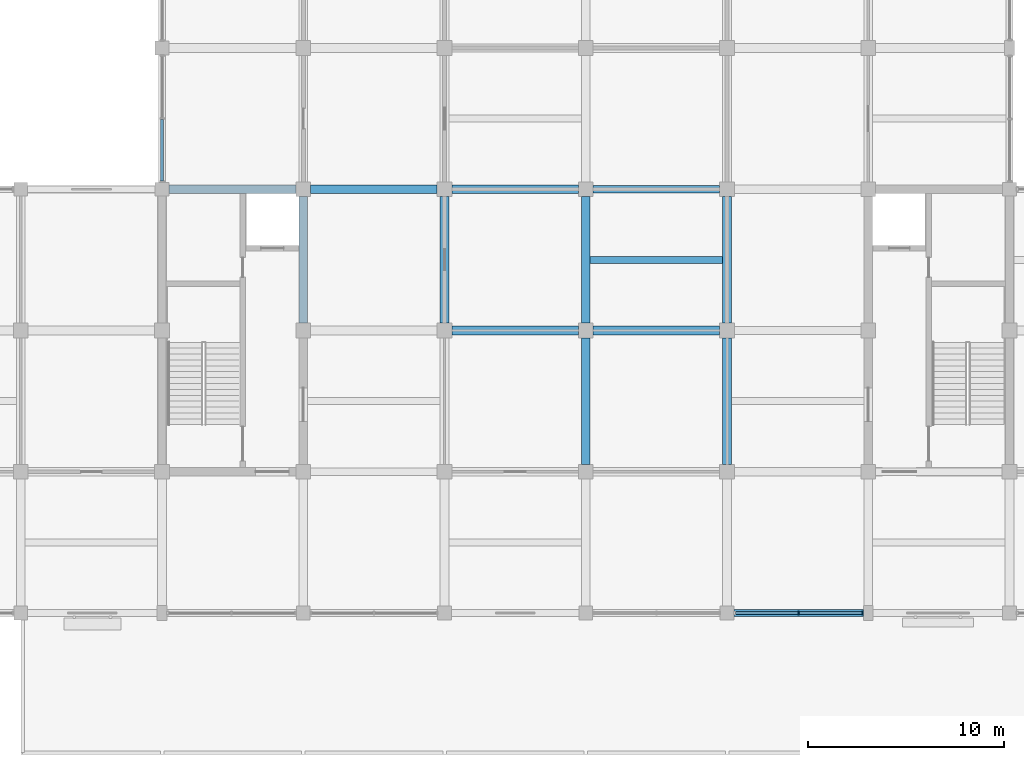
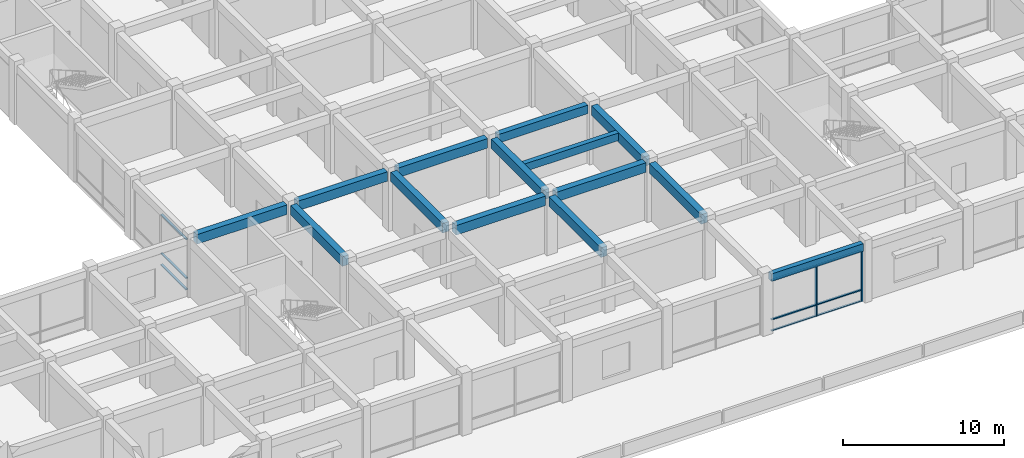
# One storey, part 6 of 30: 14 beams, 11 members, 2 elements without a shape of their own.
"""IFC4 building model written with IfcOpenShell, lengths in metres."""

from ifc_helpers import new_model, si_unit, direction, frame, origin, origin_2d, place, context, subcontext, project, spatial, rectangle, extrude, material, layer, layer_set, material_profile, profile_set, type_object, element, aggregate, save


model = new_model("IFC4")

# Units and contexts
model_context = context("Model", 3, precision=1e-05, world=origin(), true_north=direction((0.0, 1.0)))
body_context = subcontext(model_context, "Body", "Model", "MODEL_VIEW")
ifc_project = project(units=[si_unit("LENGTHUNIT", "METRE"), si_unit("AREAUNIT", "SQUARE_METRE"), si_unit("VOLUMEUNIT", "CUBIC_METRE"), si_unit("PLANEANGLEUNIT", "RADIAN"), si_unit("MASSUNIT", "GRAM", prefix="KILO")], contexts=[model_context])

# Site, building, storey
site_placement = place(None, origin())
site = spatial("IfcSite", under=ifc_project, at=site_placement, CompositionType="ELEMENT")
building_placement = place(site_placement, origin())
building = spatial("IfcBuilding", under=site, at=building_placement, Name="Cendaluz Park School", CompositionType="ELEMENT")
storey_placement = place(building_placement, frame((0.0, 0.0, 9.60009765625)))
storey = spatial("IfcBuildingStorey", under=building, at=storey_placement, Name="L02", CompositionType="ELEMENT", Elevation=9.60009765625)

# Beams
ifc_material_1 = material(Name="Concrete C40/50", Category="concrete")
ifc_material_profile_1 = material_profile(ifc_material_1, rectangle(XDim=0.449951171875, YDim=0.719970703125, at=origin_2d()), Name="RC 450x720", Category="concrete")
ifc_profile_set_1 = profile_set([ifc_material_profile_1], Name="Concrete C40/50")
beam_type_1 = type_object("IfcBeamType", Name="BM-RC02", PredefinedType="BEAM", material=ifc_profile_set_1)
beam_1_placement = place(storey_placement, frame((65.14990234375, 28.800048828125, 4.099853515625), z_axis=(1.0, 0.0, 0.0), x_axis=(0.0, 1.0, 0.0)))
element("IfcBeam", 1, at=beam_1_placement, inside=storey, type_object=beam_type_1, Name="BM-L02-BMRC02-0038", PredefinedType="BEAM", context=body_context, shape_type="SweptSolid", body=[
    extrude(rectangle(XDim=0.449951171875, YDim=0.719970703125, at=origin_2d()), origin(), (0.0, 0.0, 1.0), 6.47509765625),
])
for number, where, z_axis, x_axis, name in (
    (2, (72.375, 28.800048828125, 4.099853515625), (1.0, 0.0, 0.0), (0.0, 1.0, 0.0), "BM-L02-BMRC02-0047"),
    (3, (79.574951171875, 21.60009765625, 4.099853515625), (1.0, 0.0, 0.0), (0.0, 1.0, 0.0), "BM-L02-BMRC02-0056"),
    (4, (79.574951171875, 28.800048828125, 4.099853515625), (1.0, 0.0, 0.0), (0.0, 1.0, 0.0), "BM-L02-BMRC02-0057"),
):
    element("IfcBeam", number, at=place(storey_placement, frame(where, z_axis=z_axis, x_axis=x_axis)), inside=storey, type_object=beam_type_1, Name=name, PredefinedType="BEAM", context=body_context, shape_type="SweptSolid", body=[
        extrude(rectangle(XDim=0.449951171875, YDim=0.719970703125, at=origin_2d()), origin(), (0.0, 0.0, 1.0), 6.449951171875),
    ])
beam_2_placement = place(storey_placement, frame((86.77490234375, 21.60009765625, 4.099853515625), z_axis=(1.0, 0.0, 0.0), x_axis=(0.0, 1.0, 0.0)))
element("IfcBeam", 5, at=beam_2_placement, inside=storey, type_object=beam_type_1, Name="BM-L02-BMRC02-0066", PredefinedType="BEAM", context=body_context, shape_type="SweptSolid", body=[
    extrude(rectangle(XDim=0.449951171875, YDim=0.719970703125, at=origin_2d()), origin(), (0.0, 0.0, 1.0), 6.4501953125),
])
for number, where, z_axis, x_axis, name in (
    (6, (72.0, 21.97509765625, 4.099853515625), (0.0, 1.0, 0.0), (-1.0, 0.0, 0.0), "BM-L02-BMRC02-0165"),
    (7, (79.199951171875, 21.97509765625, 4.099853515625), (0.0, 1.0, 0.0), (-1.0, 0.0, 0.0), "BM-L02-BMRC02-0174"),
):
    element("IfcBeam", number, at=place(storey_placement, frame(where, z_axis=z_axis, x_axis=x_axis)), inside=storey, type_object=beam_type_1, Name=name, PredefinedType="BEAM", context=body_context, shape_type="SweptSolid", body=[
        extrude(rectangle(XDim=0.449951171875, YDim=0.719970703125, at=origin_2d()), origin(), (0.0, 0.0, 1.0), 6.449951171875),
    ])
beam_3_placement = place(storey_placement, frame((86.39990234375, 14.77490234375, 4.099853515625), z_axis=(0.0, 1.0, 0.0), x_axis=(-1.0, 0.0, 0.0)))
element("IfcBeam", 8, at=beam_3_placement, inside=storey, type_object=beam_type_1, Name="BM-L02-BMRC02-0182", PredefinedType="BEAM", context=body_context, shape_type="SweptSolid", body=[
    extrude(rectangle(XDim=0.449951171875, YDim=0.719970703125, at=origin_2d()), origin(), (0.0, 0.0, 1.0), 6.4501953125),
])
beam_4_placement = place(storey_placement, frame((86.39990234375, 21.97509765625, 4.099853515625), z_axis=(0.0, 1.0, 0.0), x_axis=(-1.0, 0.0, 0.0)))
element("IfcBeam", 9, at=beam_4_placement, inside=storey, type_object=beam_type_1, Name="BM-L02-BMRC02-0183", PredefinedType="BEAM", context=body_context, shape_type="SweptSolid", body=[
    extrude(rectangle(XDim=0.449951171875, YDim=0.719970703125, at=origin_2d()), origin(), (0.0, 0.0, 1.0), 6.449951171875),
])
beam_5_placement = place(storey_placement, frame((93.60009765625, 14.77490234375, 4.099853515625), z_axis=(0.0, 1.0, 0.0), x_axis=(-1.0, 0.0, 0.0)))
element("IfcBeam", 10, at=beam_5_placement, inside=storey, type_object=beam_type_1, Name="BM-L02-BMRC02-0191", PredefinedType="BEAM", context=body_context, shape_type="SweptSolid", body=[
    extrude(rectangle(XDim=0.449951171875, YDim=0.719970703125, at=origin_2d()), origin(), (0.0, 0.0, 1.0), 6.4501953125),
])
beam_6_placement = place(storey_placement, frame((93.60009765625, 21.97509765625, 4.099853515625), z_axis=(0.0, 1.0, 0.0), x_axis=(-1.0, 0.0, 0.0)))
element("IfcBeam", 11, at=beam_6_placement, inside=storey, type_object=beam_type_1, Name="BM-L02-BMRC02-0192", PredefinedType="BEAM", context=body_context, shape_type="SweptSolid", body=[
    extrude(rectangle(XDim=0.449951171875, YDim=0.719970703125, at=origin_2d()), origin(), (0.0, 0.0, 1.0), 6.449951171875),
])
ifc_material_profile_2 = material_profile(ifc_material_1, rectangle(XDim=0.39990234375, YDim=0.64990234375, at=origin_2d()), Name="RC 400x650", Category="concrete")
ifc_profile_set_2 = profile_set([ifc_material_profile_2], Name="Concrete C40/50")
beam_type_2 = type_object("IfcBeamType", Name="BM-RC03", PredefinedType="T_BEAM", material=ifc_profile_set_2)
beam_7_placement = place(storey_placement, frame((86.77490234375, 28.800048828125, 4.135009765625), z_axis=(1.0, 0.0, 0.0), x_axis=(0.0, 1.0, 0.0)))
element("IfcBeam", 12, at=beam_7_placement, inside=storey, type_object=beam_type_2, Name="BM-L02-BMRC03-0067", PredefinedType="T_BEAM", context=body_context, shape_type="SweptSolid", body=[
    extrude(rectangle(XDim=0.39990234375, YDim=0.64990234375, at=origin_2d()), origin(), (0.0, 0.0, 1.0), 6.4501953125),
])
ifc_material_profile_3 = material_profile(ifc_material_1, rectangle(XDim=0.35009765625, YDim=0.580078125, at=origin_2d()), Name="RC 350x580", Category="concrete")
ifc_profile_set_3 = profile_set([ifc_material_profile_3], Name="Concrete C40/50")
beam_type_3 = type_object("IfcBeamType", Name="BM-RC04", PredefinedType="LINTEL", material=ifc_profile_set_3)
beam_8_placement = place(storey_placement, frame((93.949951171875, 7.199951171875, 4.169921875), z_axis=(1.0, 0.0, 0.0), x_axis=(0.0, 1.0, 0.0)))
element("IfcBeam", 13, at=beam_8_placement, inside=storey, type_object=beam_type_3, Name="BM-L02-BMRC04-0074", PredefinedType="LINTEL", context=body_context, shape_type="SweptSolid", body=[
    extrude(rectangle(XDim=0.35009765625, YDim=0.580078125, at=origin_2d()), origin(), (0.0, 0.0, 1.0), 6.60009765625),
])

# Curtain wall, members
ifc_material_2 = material(Name="Anodised Aluminium 6063-T6", Category="aluminium")
ifc_layer_1 = layer(ifc_material_2, 0.179931640625)
ifc_layer_set_1 = layer_set([ifc_layer_1], Name="Anodised Aluminium 6063-T6")
curtain_wall_type_1 = type_object("IfcCurtainWallType", Name="CW-132x78", PredefinedType="NOTDEFINED", material=ifc_layer_set_1)
curtain_wall_1_placement = place(storey_placement, origin())
curtain_wall_1 = element("IfcCurtainWall", 14, at=curtain_wall_1_placement, inside=storey, type_object=curtain_wall_type_1, Name="CW-L02-113", PredefinedType="NOTDEFINED")
ifc_material_profile_4 = material_profile(ifc_material_2, rectangle(XDim=0.199951171875, YDim=0.080078125, at=origin_2d()), Name="CWM 200x80", Category="aluminium")
ifc_profile_set_4 = profile_set([ifc_material_profile_4], Name="Anodised Aluminium 6063-T6")
member_type_1 = type_object("IfcMemberType", Name="CWM-02", PredefinedType="MULLION", material=ifc_profile_set_4)
member_1_placement = place(storey_placement, frame((97.25, 7.199951171875, 0.0), z_axis=(0.0, 0.0, 1.0), x_axis=(0.0, 1.0, 0.0)))
member_1 = element("IfcMember", 15, at=member_1_placement, type_object=member_type_1, Name="CP-L02-1458", PredefinedType="MULLION", context=body_context, shape_type="SweptSolid", body=[
    extrude(rectangle(XDim=0.199951171875, YDim=0.080078125, at=origin_2d()), origin(), (0.0, 0.0, 1.0), 3.8798828125),
])
member_2_placement = place(storey_placement, frame((100.510009765625, 7.199951171875, 0.0), z_axis=(0.0, 0.0, 1.0), x_axis=(0.0, 1.0, 0.0)))
member_2 = element("IfcMember", 16, at=member_2_placement, type_object=member_type_1, Name="CP-L02-1459", PredefinedType="MULLION", context=body_context, shape_type="SweptSolid", body=[
    extrude(rectangle(XDim=0.199951171875, YDim=0.080078125, at=origin_2d()), origin(), (0.0, 0.0, 1.0), 3.8798828125),
])

ifc_layer_2 = layer(ifc_material_2, 0.179931640625)
ifc_layer_set_2 = layer_set([ifc_layer_2], Name="Anodised Aluminium 6063-T6")
curtain_wall_type_2 = type_object("IfcCurtainWallType", Name="CW-130x78", PredefinedType="NOTDEFINED", material=ifc_layer_set_2)
curtain_wall_2_placement = place(storey_placement, origin())
curtain_wall_2 = element("IfcCurtainWall", 17, at=curtain_wall_2_placement, inside=storey, type_object=curtain_wall_type_2, Name="CW-L02-105", PredefinedType="NOTDEFINED")
ifc_material_profile_5 = material_profile(ifc_material_2, rectangle(XDim=0.14990234375, YDim=0.080078125, at=origin_2d()), Name="CWT 150x80", Category="aluminium")
ifc_profile_set_5 = profile_set([ifc_material_profile_5], Name="Anodised Aluminium 6063-T6")
member_type_2 = type_object("IfcMemberType", Name="CWT-02", PredefinedType="USERDEFINED", material=ifc_profile_set_5)
member_3_placement = place(storey_placement, frame((64.800048828125, 29.22998046875, 0.039794921875), z_axis=(0.0, 1.0, 0.0), x_axis=(-1.0, 0.0, 0.0)))
member_3 = element("IfcMember", 18, at=member_3_placement, type_object=member_type_2, Name="CP-L02-1356", ObjectType="TRANSOM", PredefinedType="USERDEFINED", context=body_context, shape_type="SweptSolid", body=[
    extrude(rectangle(XDim=0.14990234375, YDim=0.080078125, at=origin_2d()), origin(), (0.0, 0.0, 1.0), 3.130126953125),
])
member_4_placement = place(storey_placement, frame((64.800048828125, 29.22998046875, 0.89990234375), z_axis=(0.0, 1.0, 0.0), x_axis=(-1.0, 0.0, 0.0)))
member_4 = element("IfcMember", 19, at=member_4_placement, type_object=member_type_2, Name="CP-L02-1357", ObjectType="TRANSOM", PredefinedType="USERDEFINED", context=body_context, shape_type="SweptSolid", body=[
    extrude(rectangle(XDim=0.14990234375, YDim=0.080078125, at=origin_2d()), origin(), (0.0, 0.0, 1.0), 3.130126953125),
])
member_5_placement = place(storey_placement, frame((64.800048828125, 29.22998046875, 3.83984375), z_axis=(0.0, 1.0, 0.0), x_axis=(-1.0, 0.0, 0.0)))
member_5 = element("IfcMember", 20, at=member_5_placement, type_object=member_type_2, Name="CP-L02-1358", ObjectType="TRANSOM", PredefinedType="USERDEFINED", context=body_context, shape_type="SweptSolid", body=[
    extrude(rectangle(XDim=0.14990234375, YDim=0.080078125, at=origin_2d()), origin(), (0.0, 0.0, 1.0), 3.130126953125),
])
aggregate(curtain_wall_2, [member_3, member_4, member_5])

# Member
member_6_placement = place(storey_placement, frame((94.030029296875, 7.199951171875, 0.039794921875), z_axis=(1.0, 0.0, 0.0), x_axis=(0.0, 1.0, 0.0)))
member_6 = element("IfcMember", 21, at=member_6_placement, type_object=member_type_2, Name="CP-L02-1460", ObjectType="TRANSOM", PredefinedType="USERDEFINED", context=body_context, shape_type="SweptSolid", body=[
    extrude(rectangle(XDim=0.14990234375, YDim=0.080078125, at=origin_2d()), origin(), (0.0, 0.0, 1.0), 3.179931640625),
])

member_7_placement = place(storey_placement, frame((94.030029296875, 7.199951171875, 0.89990234375), z_axis=(1.0, 0.0, 0.0), x_axis=(0.0, 1.0, 0.0)))
member_7 = element("IfcMember", 22, at=member_7_placement, type_object=member_type_2, Name="CP-L02-1461", ObjectType="TRANSOM", PredefinedType="USERDEFINED", context=body_context, shape_type="SweptSolid", body=[
    extrude(rectangle(XDim=0.14990234375, YDim=0.080078125, at=origin_2d()), origin(), (0.0, 0.0, 1.0), 3.179931640625),
])

member_8_placement = place(storey_placement, frame((94.030029296875, 7.199951171875, 3.83984375), z_axis=(1.0, 0.0, 0.0), x_axis=(0.0, 1.0, 0.0)))
member_8 = element("IfcMember", 23, at=member_8_placement, type_object=member_type_2, Name="CP-L02-1462", ObjectType="TRANSOM", PredefinedType="USERDEFINED", context=body_context, shape_type="SweptSolid", body=[
    extrude(rectangle(XDim=0.14990234375, YDim=0.080078125, at=origin_2d()), origin(), (0.0, 0.0, 1.0), 3.179931640625),
])

member_9_placement = place(storey_placement, frame((97.2900390625, 7.199951171875, 0.039794921875), z_axis=(1.0, 0.0, 0.0), x_axis=(0.0, 1.0, 0.0)))
member_9 = element("IfcMember", 24, at=member_9_placement, type_object=member_type_2, Name="CP-L02-1465", ObjectType="TRANSOM", PredefinedType="USERDEFINED", context=body_context, shape_type="SweptSolid", body=[
    extrude(rectangle(XDim=0.14990234375, YDim=0.080078125, at=origin_2d()), origin(), (0.0, 0.0, 1.0), 3.179931640625),
])

member_10_placement = place(storey_placement, frame((97.2900390625, 7.199951171875, 0.89990234375), z_axis=(1.0, 0.0, 0.0), x_axis=(0.0, 1.0, 0.0)))
member_10 = element("IfcMember", 25, at=member_10_placement, type_object=member_type_2, Name="CP-L02-1466", ObjectType="TRANSOM", PredefinedType="USERDEFINED", context=body_context, shape_type="SweptSolid", body=[
    extrude(rectangle(XDim=0.14990234375, YDim=0.080078125, at=origin_2d()), origin(), (0.0, 0.0, 1.0), 3.179931640625),
])

member_11_placement = place(storey_placement, frame((97.2900390625, 7.199951171875, 3.83984375), z_axis=(1.0, 0.0, 0.0), x_axis=(0.0, 1.0, 0.0)))
member_11 = element("IfcMember", 26, at=member_11_placement, type_object=member_type_2, Name="CP-L02-1467", ObjectType="TRANSOM", PredefinedType="USERDEFINED", context=body_context, shape_type="SweptSolid", body=[
    extrude(rectangle(XDim=0.14990234375, YDim=0.080078125, at=origin_2d()), origin(), (0.0, 0.0, 1.0), 3.179931640625),
])

aggregate(curtain_wall_1, [member_1, member_2, member_6, member_7, member_8, member_9, member_10, member_11])

# Beam
ifc_material_profile_6 = material_profile(ifc_material_1, rectangle(XDim=0.35009765625, YDim=0.580078125, at=origin_2d()), Name="RC 350x580", Category="concrete")
ifc_profile_set_6 = profile_set([ifc_material_profile_6], Name="Concrete C40/50")
beam_type_4 = type_object("IfcBeamType", Name="JT-RC01", PredefinedType="JOIST", material=ifc_profile_set_6)
beam_9_placement = place(storey_placement, frame((86.625, 25.199951171875, 4.169921875), z_axis=(1.0, 0.0, 0.0), x_axis=(0.0, 1.0, 0.0)))
element("IfcBeam", 27, at=beam_9_placement, inside=storey, type_object=beam_type_4, Name="BM-L02-JTRC01-0260", PredefinedType="JOIST", context=body_context, shape_type="SweptSolid", body=[
    extrude(rectangle(XDim=0.35009765625, YDim=0.580078125, at=origin_2d()), origin(), (0.0, 0.0, 1.0), 6.75),
])

save(model, "model.ifc")
